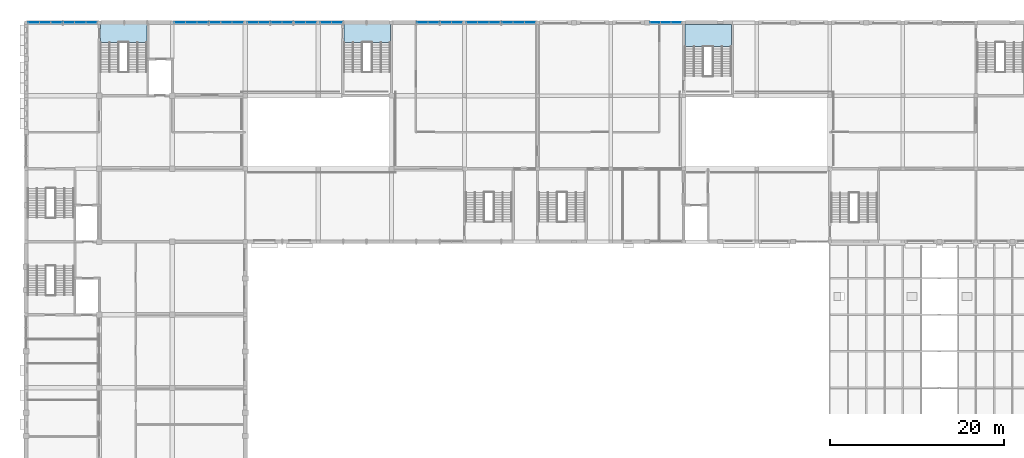
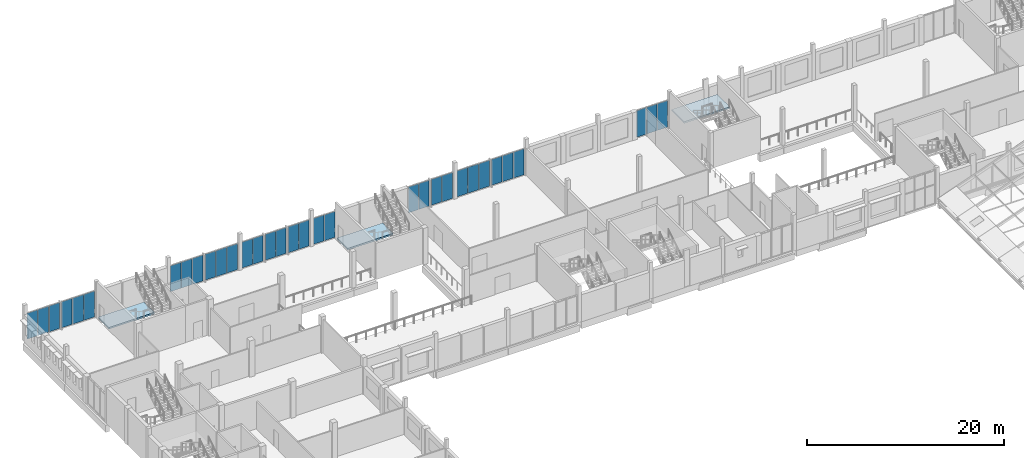
# One storey, part 90 of 116: 33 plates, 3 slabs, 16 elements without a shape of their own.
"""IFC4 building model written with IfcOpenShell, lengths in metres."""

from ifc_helpers import new_model, si_unit, direction, frame, origin, origin_2d, place, context, subcontext, project, spatial, polyline, rectangle, outline, extrude, material, layer, layer_set, type_object, element, aggregate, save


model = new_model("IFC4")

# Units and contexts
model_context = context("Model", 3, precision=1e-05, world=origin(), true_north=direction((0.0, 1.0)))
body_context = subcontext(model_context, "Body", "Model", "MODEL_VIEW")
ifc_project = project(units=[si_unit("LENGTHUNIT", "METRE"), si_unit("AREAUNIT", "SQUARE_METRE"), si_unit("VOLUMEUNIT", "CUBIC_METRE"), si_unit("PLANEANGLEUNIT", "RADIAN"), si_unit("MASSUNIT", "GRAM", prefix="KILO")], contexts=[model_context])

# Site, building, storey
site_placement = place(None, origin())
site = spatial("IfcSite", under=ifc_project, at=site_placement, CompositionType="ELEMENT")
building_placement = place(site_placement, origin())
building = spatial("IfcBuilding", under=site, at=building_placement, Name="Fescue Hill Polytechnic", CompositionType="ELEMENT")
storey_placement = place(building_placement, frame((0.0, 0.0, 13.5)))
storey = spatial("IfcBuildingStorey", under=building, at=storey_placement, Name="L03", CompositionType="ELEMENT", Elevation=13.5)

# Curtain wall, plates
ifc_material_1 = material(Name="Glass", Category="glass")
curtain_wall_type = type_object("IfcCurtainWallType", Name="Curtain wall structural glazing", PredefinedType="NOTDEFINED", material=ifc_material_1)
curtain_wall_1_placement = place(storey_placement, origin())
curtain_wall_1 = element("IfcCurtainWall", 1, at=curtain_wall_1_placement, inside=storey, type_object=curtain_wall_type, Name="CW-L03-V5-1", PredefinedType="NOTDEFINED")
ifc_layer_1 = layer(ifc_material_1, 0.028076171875)
ifc_layer_set_1 = layer_set([ifc_layer_1], Name="Glass")
plate_type = type_object("IfcPlateType", Name="Panel glazing 28", PredefinedType="CURTAIN_PANEL", material=ifc_layer_set_1)
plate_1_placement = place(storey_placement, frame((57.92822265625, 134.39990234375, 0.06005859375), z_axis=(0.0, 0.0, 1.0), x_axis=(-1.0, 0.0, 0.0)))
plate_1 = element("IfcPlate", 2, at=plate_1_placement, type_object=plate_type, Name="CW72 panel 1.1", PredefinedType="CURTAIN_PANEL", context=body_context, shape_type="SweptSolid", body=[
    extrude(rectangle(XDim=1.223388671875, YDim=0.028076171875, at=origin_2d()), origin(), (0.0, 0.0, 1.0), 3.2099609375),
])
plate_2_placement = place(storey_placement, frame((56.6298828125, 134.39990234375, 0.06005859375), z_axis=(0.0, 0.0, 1.0), x_axis=(-1.0, 0.0, 0.0)))
plate_2 = element("IfcPlate", 3, at=plate_2_placement, type_object=plate_type, Name="CW72 panel 2.1", PredefinedType="CURTAIN_PANEL", context=body_context, shape_type="SweptSolid", body=[
    extrude(rectangle(XDim=1.25341796875, YDim=0.028076171875, at=origin_2d()), origin(), (0.0, 0.0, 1.0), 3.2099609375),
])
plate_3_placement = place(storey_placement, frame((55.331787109375, 134.39990234375, 0.06005859375), z_axis=(0.0, 0.0, 1.0), x_axis=(-1.0, 0.0, 0.0)))
plate_3 = element("IfcPlate", 4, at=plate_3_placement, type_object=plate_type, Name="CW72 panel 3.1", PredefinedType="CURTAIN_PANEL", context=body_context, shape_type="SweptSolid", body=[
    extrude(rectangle(XDim=1.223388671875, YDim=0.028076171875, at=origin_2d()), origin(), (0.0, 0.0, 1.0), 3.2099609375),
])
aggregate(curtain_wall_1, [plate_1, plate_2, plate_3])

curtain_wall_2_placement = place(storey_placement, origin())
curtain_wall_2 = element("IfcCurtainWall", 5, at=curtain_wall_2_placement, inside=storey, type_object=curtain_wall_type, Name="CW-L03-V5-2", PredefinedType="NOTDEFINED")
plate_4_placement = place(storey_placement, frame((53.868408203125, 134.39990234375, 0.06005859375), z_axis=(0.0, 0.0, 1.0), x_axis=(-1.0, 0.0, 0.0)))
plate_4 = element("IfcPlate", 6, at=plate_4_placement, type_object=plate_type, Name="CW73 panel 1.1", PredefinedType="CURTAIN_PANEL", context=body_context, shape_type="SweptSolid", body=[
    extrude(rectangle(XDim=1.223388671875, YDim=0.028076171875, at=origin_2d()), origin(), (0.0, 0.0, 1.0), 3.2099609375),
])
plate_5_placement = place(storey_placement, frame((52.570068359375, 134.39990234375, 0.06005859375), z_axis=(0.0, 0.0, 1.0), x_axis=(-1.0, 0.0, 0.0)))
plate_5 = element("IfcPlate", 7, at=plate_5_placement, type_object=plate_type, Name="CW73 panel 2.1", PredefinedType="CURTAIN_PANEL", context=body_context, shape_type="SweptSolid", body=[
    extrude(rectangle(XDim=1.25341796875, YDim=0.028076171875, at=origin_2d()), origin(), (0.0, 0.0, 1.0), 3.2099609375),
])
plate_6_placement = place(storey_placement, frame((51.271728515625, 134.39990234375, 0.06005859375), z_axis=(0.0, 0.0, 1.0), x_axis=(-1.0, 0.0, 0.0)))
plate_6 = element("IfcPlate", 8, at=plate_6_placement, type_object=plate_type, Name="CW73 panel 3.1", PredefinedType="CURTAIN_PANEL", context=body_context, shape_type="SweptSolid", body=[
    extrude(rectangle(XDim=1.223388671875, YDim=0.028076171875, at=origin_2d()), origin(), (0.0, 0.0, 1.0), 3.2099609375),
])
aggregate(curtain_wall_2, [plate_4, plate_5, plate_6])

curtain_wall_3_placement = place(storey_placement, origin())
curtain_wall_3 = element("IfcCurtainWall", 9, at=curtain_wall_3_placement, inside=storey, type_object=curtain_wall_type, Name="CW-L03-V5-3", PredefinedType="NOTDEFINED")
plate_7_placement = place(storey_placement, frame((49.533203125, 134.39990234375, 0.06005859375), z_axis=(0.0, 0.0, 1.0), x_axis=(-1.0, 0.0, 0.0)))
plate_7 = element("IfcPlate", 10, at=plate_7_placement, type_object=plate_type, Name="CW74 panel 1.1", PredefinedType="CURTAIN_PANEL", context=body_context, shape_type="SweptSolid", body=[
    extrude(rectangle(XDim=1.21337890625, YDim=0.028076171875, at=origin_2d()), origin(), (0.0, 0.0, 1.0), 3.2099609375),
])
plate_8_placement = place(storey_placement, frame((48.260009765625, 134.39990234375, 0.06005859375), z_axis=(0.0, 0.0, 1.0), x_axis=(-1.0, 0.0, 0.0)))
plate_8 = element("IfcPlate", 11, at=plate_8_placement, type_object=plate_type, Name="CW74 panel 2.1", PredefinedType="CURTAIN_PANEL", context=body_context, shape_type="SweptSolid", body=[
    extrude(rectangle(XDim=1.21337890625, YDim=0.028076171875, at=origin_2d()), origin(), (0.0, 0.0, 1.0), 3.2099609375),
])
aggregate(curtain_wall_3, [plate_7, plate_8])

curtain_wall_4_placement = place(storey_placement, origin())
curtain_wall_4 = element("IfcCurtainWall", 12, at=curtain_wall_4_placement, inside=storey, type_object=curtain_wall_type, Name="CW-L03-V5-4", PredefinedType="NOTDEFINED")
plate_9_placement = place(storey_placement, frame((46.821533203125, 134.39990234375, 0.06005859375), z_axis=(0.0, 0.0, 1.0), x_axis=(-1.0, 0.0, 0.0)))
plate_9 = element("IfcPlate", 13, at=plate_9_placement, type_object=plate_type, Name="CW75 panel 1.1", PredefinedType="CURTAIN_PANEL", context=body_context, shape_type="SweptSolid", body=[
    extrude(rectangle(XDim=1.183349609375, YDim=0.028076171875, at=origin_2d()), origin(), (0.0, 0.0, 1.0), 3.2099609375),
])
plate_10_placement = place(storey_placement, frame((45.578369140625, 134.39990234375, 0.06005859375), z_axis=(0.0, 0.0, 1.0), x_axis=(-1.0, 0.0, 0.0)))
plate_10 = element("IfcPlate", 14, at=plate_10_placement, type_object=plate_type, Name="CW75 panel 2.1", PredefinedType="CURTAIN_PANEL", context=body_context, shape_type="SweptSolid", body=[
    extrude(rectangle(XDim=1.183349609375, YDim=0.028076171875, at=origin_2d()), origin(), (0.0, 0.0, 1.0), 3.2099609375),
])
aggregate(curtain_wall_4, [plate_9, plate_10])

curtain_wall_5_placement = place(storey_placement, origin())
curtain_wall_5 = element("IfcCurtainWall", 15, at=curtain_wall_5_placement, inside=storey, type_object=curtain_wall_type, Name="CW-L03-V5-5", PredefinedType="NOTDEFINED")
plate_11_placement = place(storey_placement, frame((32.7333984375, 134.39990234375, 0.06005859375), z_axis=(0.0, 0.0, 1.0), x_axis=(-1.0, 0.0, 0.0)))
plate_11 = element("IfcPlate", 16, at=plate_11_placement, type_object=plate_type, Name="CW76 panel 1.1", PredefinedType="CURTAIN_PANEL", context=body_context, shape_type="SweptSolid", body=[
    extrude(rectangle(XDim=1.21337890625, YDim=0.028076171875, at=origin_2d()), origin(), (0.0, 0.0, 1.0), 3.2099609375),
])
plate_12_placement = place(storey_placement, frame((31.4599609375, 134.39990234375, 0.06005859375), z_axis=(0.0, 0.0, 1.0), x_axis=(-1.0, 0.0, 0.0)))
plate_12 = element("IfcPlate", 17, at=plate_12_placement, type_object=plate_type, Name="CW76 panel 2.1", PredefinedType="CURTAIN_PANEL", context=body_context, shape_type="SweptSolid", body=[
    extrude(rectangle(XDim=1.21337890625, YDim=0.028076171875, at=origin_2d()), origin(), (0.0, 0.0, 1.0), 3.2099609375),
])
aggregate(curtain_wall_5, [plate_11, plate_12])

curtain_wall_6_placement = place(storey_placement, origin())
curtain_wall_6 = element("IfcCurtainWall", 18, at=curtain_wall_6_placement, inside=storey, type_object=curtain_wall_type, Name="CW-L03-V5-6", PredefinedType="NOTDEFINED")
plate_13_placement = place(storey_placement, frame((30.021728515625, 134.39990234375, 0.06005859375), z_axis=(0.0, 0.0, 1.0), x_axis=(-1.0, 0.0, 0.0)))
plate_13 = element("IfcPlate", 19, at=plate_13_placement, type_object=plate_type, Name="CW77 panel 1.1", PredefinedType="CURTAIN_PANEL", context=body_context, shape_type="SweptSolid", body=[
    extrude(rectangle(XDim=1.183349609375, YDim=0.028076171875, at=origin_2d()), origin(), (0.0, 0.0, 1.0), 3.2099609375),
])
plate_14_placement = place(storey_placement, frame((28.7783203125, 134.39990234375, 0.06005859375), z_axis=(0.0, 0.0, 1.0), x_axis=(-1.0, 0.0, 0.0)))
plate_14 = element("IfcPlate", 20, at=plate_14_placement, type_object=plate_type, Name="CW77 panel 2.1", PredefinedType="CURTAIN_PANEL", context=body_context, shape_type="SweptSolid", body=[
    extrude(rectangle(XDim=1.183349609375, YDim=0.028076171875, at=origin_2d()), origin(), (0.0, 0.0, 1.0), 3.2099609375),
])
aggregate(curtain_wall_6, [plate_13, plate_14])

curtain_wall_7_placement = place(storey_placement, origin())
curtain_wall_7 = element("IfcCurtainWall", 21, at=curtain_wall_7_placement, inside=storey, type_object=curtain_wall_type, Name="CW-L03-V5-7", PredefinedType="NOTDEFINED")
plate_15_placement = place(storey_placement, frame((27.340087890625, 134.39990234375, 0.06005859375), z_axis=(0.0, 0.0, 1.0), x_axis=(-1.0, 0.0, 0.0)))
plate_15 = element("IfcPlate", 22, at=plate_15_placement, type_object=plate_type, Name="CW78 panel 1.1", PredefinedType="CURTAIN_PANEL", context=body_context, shape_type="SweptSolid", body=[
    extrude(rectangle(XDim=1.21337890625, YDim=0.028076171875, at=origin_2d()), origin(), (0.0, 0.0, 1.0), 3.2099609375),
])
plate_16_placement = place(storey_placement, frame((26.066650390625, 134.39990234375, 0.06005859375), z_axis=(0.0, 0.0, 1.0), x_axis=(-1.0, 0.0, 0.0)))
plate_16 = element("IfcPlate", 23, at=plate_16_placement, type_object=plate_type, Name="CW78 panel 2.1", PredefinedType="CURTAIN_PANEL", context=body_context, shape_type="SweptSolid", body=[
    extrude(rectangle(XDim=1.21337890625, YDim=0.028076171875, at=origin_2d()), origin(), (0.0, 0.0, 1.0), 3.2099609375),
])
aggregate(curtain_wall_7, [plate_15, plate_16])

curtain_wall_8_placement = place(storey_placement, origin())
curtain_wall_8 = element("IfcCurtainWall", 24, at=curtain_wall_8_placement, inside=storey, type_object=curtain_wall_type, Name="CW-L03-V5-8", PredefinedType="NOTDEFINED")
plate_17_placement = place(storey_placement, frame((24.328369140625, 134.39990234375, 0.06005859375), z_axis=(0.0, 0.0, 1.0), x_axis=(-1.0, 0.0, 0.0)))
plate_17 = element("IfcPlate", 25, at=plate_17_placement, type_object=plate_type, Name="CW79 panel 1.1", PredefinedType="CURTAIN_PANEL", context=body_context, shape_type="SweptSolid", body=[
    extrude(rectangle(XDim=1.223388671875, YDim=0.028076171875, at=origin_2d()), origin(), (0.0, 0.0, 1.0), 3.2099609375),
])
plate_18_placement = place(storey_placement, frame((23.030029296875, 134.39990234375, 0.06005859375), z_axis=(0.0, 0.0, 1.0), x_axis=(-1.0, 0.0, 0.0)))
plate_18 = element("IfcPlate", 26, at=plate_18_placement, type_object=plate_type, Name="CW79 panel 2.1", PredefinedType="CURTAIN_PANEL", context=body_context, shape_type="SweptSolid", body=[
    extrude(rectangle(XDim=1.25341796875, YDim=0.028076171875, at=origin_2d()), origin(), (0.0, 0.0, 1.0), 3.2099609375),
])
plate_19_placement = place(storey_placement, frame((21.731689453125, 134.39990234375, 0.06005859375), z_axis=(0.0, 0.0, 1.0), x_axis=(-1.0, 0.0, 0.0)))
plate_19 = element("IfcPlate", 27, at=plate_19_placement, type_object=plate_type, Name="CW79 panel 3.1", PredefinedType="CURTAIN_PANEL", context=body_context, shape_type="SweptSolid", body=[
    extrude(rectangle(XDim=1.223388671875, YDim=0.028076171875, at=origin_2d()), origin(), (0.0, 0.0, 1.0), 3.2099609375),
])
aggregate(curtain_wall_8, [plate_17, plate_18, plate_19])

curtain_wall_9_placement = place(storey_placement, origin())
curtain_wall_9 = element("IfcCurtainWall", 28, at=curtain_wall_9_placement, inside=storey, type_object=curtain_wall_type, Name="CW-L03-V5-9", PredefinedType="NOTDEFINED")
plate_20_placement = place(storey_placement, frame((20.268310546875, 134.39990234375, 0.06005859375), z_axis=(0.0, 0.0, 1.0), x_axis=(-1.0, 0.0, 0.0)))
plate_20 = element("IfcPlate", 29, at=plate_20_placement, type_object=plate_type, Name="CW80 panel 1.1", PredefinedType="CURTAIN_PANEL", context=body_context, shape_type="SweptSolid", body=[
    extrude(rectangle(XDim=1.223388671875, YDim=0.028076171875, at=origin_2d()), origin(), (0.0, 0.0, 1.0), 3.2099609375),
])
plate_21_placement = place(storey_placement, frame((18.969970703125, 134.39990234375, 0.06005859375), z_axis=(0.0, 0.0, 1.0), x_axis=(-1.0, 0.0, 0.0)))
plate_21 = element("IfcPlate", 30, at=plate_21_placement, type_object=plate_type, Name="CW80 panel 2.1", PredefinedType="CURTAIN_PANEL", context=body_context, shape_type="SweptSolid", body=[
    extrude(rectangle(XDim=1.25341796875, YDim=0.028076171875, at=origin_2d()), origin(), (0.0, 0.0, 1.0), 3.2099609375),
])
plate_22_placement = place(storey_placement, frame((17.671630859375, 134.39990234375, 0.06005859375), z_axis=(0.0, 0.0, 1.0), x_axis=(-1.0, 0.0, 0.0)))
plate_22 = element("IfcPlate", 31, at=plate_22_placement, type_object=plate_type, Name="CW80 panel 3.1", PredefinedType="CURTAIN_PANEL", context=body_context, shape_type="SweptSolid", body=[
    extrude(rectangle(XDim=1.223388671875, YDim=0.028076171875, at=origin_2d()), origin(), (0.0, 0.0, 1.0), 3.2099609375),
])
aggregate(curtain_wall_9, [plate_20, plate_21, plate_22])

curtain_wall_10_placement = place(storey_placement, origin())
curtain_wall_10 = element("IfcCurtainWall", 32, at=curtain_wall_10_placement, inside=storey, type_object=curtain_wall_type, Name="CW-L03-V5-10", PredefinedType="NOTDEFINED")
plate_23_placement = place(storey_placement, frame((3.46826171875, 134.39990234375, 0.06005859375), z_axis=(0.0, 0.0, 1.0), x_axis=(-1.0, 0.0, 0.0)))
plate_23 = element("IfcPlate", 33, at=plate_23_placement, type_object=plate_type, Name="CW81 panel 1.1", PredefinedType="CURTAIN_PANEL", context=body_context, shape_type="SweptSolid", body=[
    extrude(rectangle(XDim=1.223388671875, YDim=0.028076171875, at=origin_2d()), origin(), (0.0, 0.0, 1.0), 3.2099609375),
])
plate_24_placement = place(storey_placement, frame((2.169921875, 134.39990234375, 0.06005859375), z_axis=(0.0, 0.0, 1.0), x_axis=(-1.0, 0.0, 0.0)))
plate_24 = element("IfcPlate", 34, at=plate_24_placement, type_object=plate_type, Name="CW81 panel 2.1", PredefinedType="CURTAIN_PANEL", context=body_context, shape_type="SweptSolid", body=[
    extrude(rectangle(XDim=1.25341796875, YDim=0.028076171875, at=origin_2d()), origin(), (0.0, 0.0, 1.0), 3.2099609375),
])
plate_25_placement = place(storey_placement, frame((0.87158203125, 134.39990234375, 0.06005859375), z_axis=(0.0, 0.0, 1.0), x_axis=(-1.0, 0.0, 0.0)))
plate_25 = element("IfcPlate", 35, at=plate_25_placement, type_object=plate_type, Name="CW81 panel 3.1", PredefinedType="CURTAIN_PANEL", context=body_context, shape_type="SweptSolid", body=[
    extrude(rectangle(XDim=1.223388671875, YDim=0.028076171875, at=origin_2d()), origin(), (0.0, 0.0, 1.0), 3.2099609375),
])
aggregate(curtain_wall_10, [plate_23, plate_24, plate_25])

curtain_wall_11_placement = place(storey_placement, origin())
curtain_wall_11 = element("IfcCurtainWall", 36, at=curtain_wall_11_placement, inside=storey, type_object=curtain_wall_type, Name="CW-L03-V5-X2", PredefinedType="NOTDEFINED")
plate_26_placement = place(storey_placement, frame((35.739990234375, 134.39990234375, 0.06005859375), z_axis=(0.0, 0.0, 1.0), x_axis=(-1.0, 0.0, 0.0)))
plate_26 = element("IfcPlate", 37, at=plate_26_placement, type_object=plate_type, Name="CW152 panel 1.1", PredefinedType="CURTAIN_PANEL", context=body_context, shape_type="SweptSolid", body=[
    extrude(rectangle(XDim=1.21337890625, YDim=0.028076171875, at=origin_2d()), origin(), (0.0, 0.0, 1.0), 3.2099609375),
])
plate_27_placement = place(storey_placement, frame((34.466796875, 134.39990234375, 0.06005859375), z_axis=(0.0, 0.0, 1.0), x_axis=(-1.0, 0.0, 0.0)))
plate_27 = element("IfcPlate", 38, at=plate_27_placement, type_object=plate_type, Name="CW152 panel 2.1", PredefinedType="CURTAIN_PANEL", context=body_context, shape_type="SweptSolid", body=[
    extrude(rectangle(XDim=1.21337890625, YDim=0.028076171875, at=origin_2d()), origin(), (0.0, 0.0, 1.0), 3.2099609375),
])
aggregate(curtain_wall_11, [plate_26, plate_27])

curtain_wall_12_placement = place(storey_placement, origin())
curtain_wall_12 = element("IfcCurtainWall", 39, at=curtain_wall_12_placement, inside=storey, type_object=curtain_wall_type, Name="CW-L03-V5-X3", PredefinedType="NOTDEFINED")
plate_28_placement = place(storey_placement, frame((7.5283203125, 134.39990234375, 0.06005859375), z_axis=(0.0, 0.0, 1.0), x_axis=(-1.0, 0.0, 0.0)))
plate_28 = element("IfcPlate", 40, at=plate_28_placement, type_object=plate_type, Name="CW158 panel 1.1", PredefinedType="CURTAIN_PANEL", context=body_context, shape_type="SweptSolid", body=[
    extrude(rectangle(XDim=1.223388671875, YDim=0.028076171875, at=origin_2d()), origin(), (0.0, 0.0, 1.0), 3.2099609375),
])
plate_29_placement = place(storey_placement, frame((6.22998046875, 134.39990234375, 0.06005859375), z_axis=(0.0, 0.0, 1.0), x_axis=(-1.0, 0.0, 0.0)))
plate_29 = element("IfcPlate", 41, at=plate_29_placement, type_object=plate_type, Name="CW158 panel 2.1", PredefinedType="CURTAIN_PANEL", context=body_context, shape_type="SweptSolid", body=[
    extrude(rectangle(XDim=1.25341796875, YDim=0.028076171875, at=origin_2d()), origin(), (0.0, 0.0, 1.0), 3.2099609375),
])
plate_30_placement = place(storey_placement, frame((4.931640625, 134.39990234375, 0.06005859375), z_axis=(0.0, 0.0, 1.0), x_axis=(-1.0, 0.0, 0.0)))
plate_30 = element("IfcPlate", 42, at=plate_30_placement, type_object=plate_type, Name="CW158 panel 3.1", PredefinedType="CURTAIN_PANEL", context=body_context, shape_type="SweptSolid", body=[
    extrude(rectangle(XDim=1.223388671875, YDim=0.028076171875, at=origin_2d()), origin(), (0.0, 0.0, 1.0), 3.2099609375),
])
aggregate(curtain_wall_12, [plate_28, plate_29, plate_30])

curtain_wall_13_placement = place(storey_placement, origin())
curtain_wall_13 = element("IfcCurtainWall", 43, at=curtain_wall_13_placement, inside=storey, type_object=curtain_wall_type, Name="CW-L03-V4b-X3", PredefinedType="NOTDEFINED")
plate_31_placement = place(storey_placement, frame((74.768310546875, 134.39990234375, 0.06005859375), z_axis=(0.0, 0.0, 1.0), x_axis=(-1.0, 0.0, 0.0)))
plate_31 = element("IfcPlate", 44, at=plate_31_placement, type_object=plate_type, Name="CW174 panel 1.1", PredefinedType="CURTAIN_PANEL", context=body_context, shape_type="SweptSolid", body=[
    extrude(rectangle(XDim=1.143310546875, YDim=0.028076171875, at=origin_2d()), origin(), (0.0, 0.0, 1.0), 3.31005859375),
])
plate_32_placement = place(storey_placement, frame((73.550048828125, 134.39990234375, 0.06005859375), z_axis=(0.0, 0.0, 1.0), x_axis=(-1.0, 0.0, 0.0)))
plate_32 = element("IfcPlate", 45, at=plate_32_placement, type_object=plate_type, Name="CW174 panel 2.1", PredefinedType="CURTAIN_PANEL", context=body_context, shape_type="SweptSolid", body=[
    extrude(rectangle(XDim=1.17333984375, YDim=0.028076171875, at=origin_2d()), origin(), (0.0, 0.0, 1.0), 3.31005859375),
])
plate_33_placement = place(storey_placement, frame((72.331787109375, 134.39990234375, 0.06005859375), z_axis=(0.0, 0.0, 1.0), x_axis=(-1.0, 0.0, 0.0)))
plate_33 = element("IfcPlate", 46, at=plate_33_placement, type_object=plate_type, Name="CW174 panel 3.1", PredefinedType="CURTAIN_PANEL", context=body_context, shape_type="SweptSolid", body=[
    extrude(rectangle(XDim=1.143310546875, YDim=0.028076171875, at=origin_2d()), origin(), (0.0, 0.0, 1.0), 3.31005859375),
])
aggregate(curtain_wall_13, [plate_31, plate_32, plate_33])

# Stair, slab
ifc_material_2 = material(Name="Concrete 35 MPa", Category="concrete")
stair_type = type_object("IfcStairType", Name="Half-turn stair 2150 flights", PredefinedType="HALF_TURN_STAIR", material=ifc_material_2)
stair_1_placement = place(storey_placement, origin())
stair_1 = element("IfcStair", 47, at=stair_1_placement, inside=storey, type_object=stair_type, Name="L03 ST-V5-2 stair", PredefinedType="HALF_TURN_STAIR")
ifc_layer_2 = layer(ifc_material_2, 0.199951171875)
ifc_layer_set_2 = layer_set([ifc_layer_2], Name="Concrete 35 MPa")
slab_type = type_object("IfcSlabType", Name="Stair landing slab 200", PredefinedType="LANDING", material=ifc_layer_set_2)
slab_1_placement = place(storey_placement, frame((0.0, 0.0, -0.199951171875)))
slab_1 = element("IfcSlab", 48, at=slab_1_placement, type_object=slab_type, Name="S19 landing 2", PredefinedType="LANDING", context=body_context, shape_type="SweptSolid", body=[
    extrude(outline(polyline([(36.52490234375, 132.10009765625), (41.875, 132.10009765625), (41.875, 134.25), (36.52490234375, 134.25), (36.52490234375, 132.10009765625)])), origin(), (0.0, 0.0, 1.0), 0.199951171875),
])
aggregate(stair_1, [slab_1])

stair_2_placement = place(storey_placement, origin())
stair_2 = element("IfcStair", 49, at=stair_2_placement, inside=storey, type_object=stair_type, Name="L03 ST-V5-3 stair", PredefinedType="HALF_TURN_STAIR")
slab_2_placement = place(storey_placement, frame((0.0, 0.0, -0.199951171875)))
slab_2 = element("IfcSlab", 50, at=slab_2_placement, type_object=slab_type, Name="S20 landing 2", PredefinedType="LANDING", context=body_context, shape_type="SweptSolid", body=[
    extrude(outline(polyline([(8.52490234375, 132.10009765625), (13.875, 132.10009765625), (13.875, 134.25), (8.52490234375, 134.25), (8.52490234375, 132.10009765625)])), origin(), (0.0, 0.0, 1.0), 0.199951171875),
])
aggregate(stair_2, [slab_2])

stair_3_placement = place(storey_placement, origin())
stair_3 = element("IfcStair", 51, at=stair_3_placement, inside=storey, type_object=stair_type, Name="L03 ST-V4b-4 stair", PredefinedType="HALF_TURN_STAIR")
slab_3_placement = place(storey_placement, frame((0.0, 0.0, 2.050048828125)))
slab_3 = element("IfcSlab", 52, at=slab_3_placement, type_object=slab_type, Name="S25 landing 1", PredefinedType="LANDING", context=body_context, shape_type="SweptSolid", body=[
    extrude(outline(polyline([(75.72509765625, 131.635009765625), (81.074951171875, 131.635009765625), (81.074951171875, 134.175048828125), (75.72509765625, 134.175048828125), (75.72509765625, 131.635009765625)])), origin(), (0.0, 0.0, 1.0), 0.199951171875),
])
aggregate(stair_3, [slab_3])

save(model, "model.ifc")
